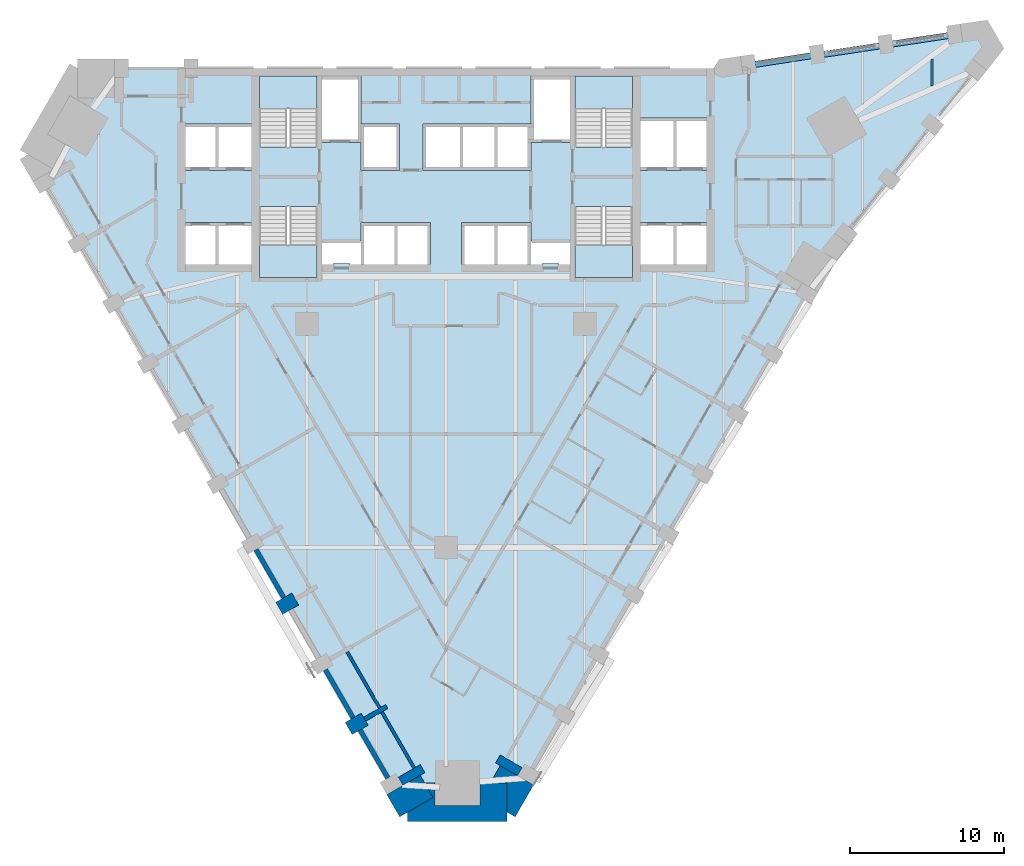
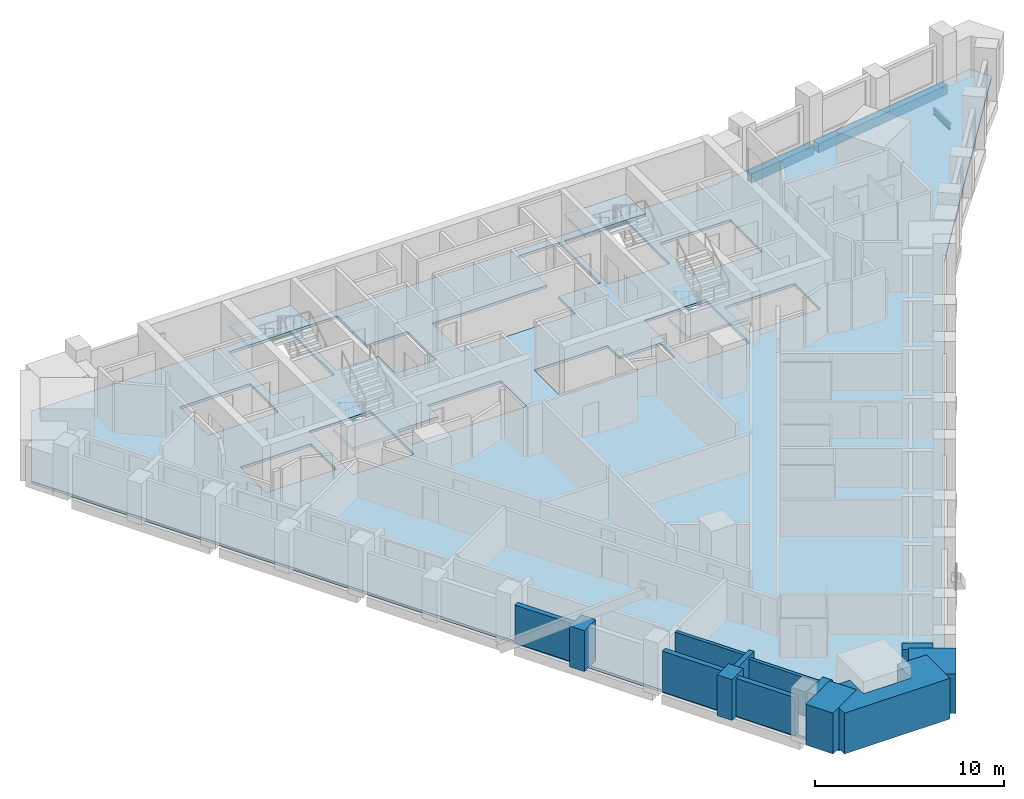
# One storey, part 2 of 11: 13 walls, 5 slabs, 3 beams, 4 elements without a shape of their own.
"""IFC4 building model written with IfcOpenShell, lengths in metres."""

from ifc_helpers import new_model, si_unit, direction, frame, frame_2d, origin, origin_2d, place, context, subcontext, project, spatial, polyline, rectangle, i_section, outline, extrude, material, layer, layer_set, material_profile, profile_set, type_object, element, aggregate, save


model = new_model("IFC4")

# Units and contexts
model_context = context("Model", 3, precision=1e-05, world=origin(), true_north=direction((0.0, 1.0)))
body_context = subcontext(model_context, "Body", "Model", "MODEL_VIEW")
ifc_project = project(units=[si_unit("LENGTHUNIT", "METRE"), si_unit("AREAUNIT", "SQUARE_METRE"), si_unit("VOLUMEUNIT", "CUBIC_METRE"), si_unit("PLANEANGLEUNIT", "RADIAN"), si_unit("MASSUNIT", "GRAM", prefix="KILO")], contexts=[model_context])

# Site, building, storey
site_placement = place(None, origin())
site = spatial("IfcSite", under=ifc_project, at=site_placement, CompositionType="ELEMENT")
building_placement = place(site_placement, origin())
building = spatial("IfcBuilding", under=site, at=building_placement, Name="Calabash Gate Tower", CompositionType="ELEMENT")
storey_placement = place(building_placement, frame((0.0, 0.0, 112.199951171875)))
storey = spatial("IfcBuildingStorey", under=building, at=storey_placement, Name="L25", CompositionType="ELEMENT", Elevation=112.199951171875)

# Beams
ifc_material_1 = material(Name="Concrete C60/75", Category="concrete")
ifc_material_profile_1 = material_profile(ifc_material_1, rectangle(XDim=0.39990234375, YDim=0.60009765625, at=origin_2d()))
ifc_profile_set_1 = profile_set([ifc_material_profile_1], Name="Concrete C60/75")
beam_type_1 = type_object("IfcBeamType", Name="Edge beam RC 400x600 Concrete C60/75", PredefinedType="BEAM", material=ifc_profile_set_1)
beam_1_placement = place(storey_placement, frame((33.139892578125, 21.27392578125, -0.469970703125), z_axis=(-0.988841625555, -0.148970599683, 0.0), x_axis=(0.148970599683, -0.988841625555, 0.0)))
element("IfcBeam", 1, at=beam_1_placement, inside=storey, type_object=beam_type_1, Name="Edge beam L25 15", PredefinedType="BEAM", context=body_context, shape_type="SweptSolid", body=[
    extrude(rectangle(XDim=0.39990234375, YDim=0.60009765625, at=origin_2d()), origin(), (0.0, 0.0, 1.0), 8.7333984375),
])
beam_2_placement = place(storey_placement, frame((24.236083984375, 19.968017578125, -0.469970703125), z_axis=(-0.988255414285, -0.152811112607, 0.0), x_axis=(0.152811112607, -0.988255414285, 0.0)))
element("IfcBeam", 2, at=beam_2_placement, inside=storey, type_object=beam_type_1, Name="Edge beam L25 16", PredefinedType="BEAM", context=body_context, shape_type="SweptSolid", body=[
    extrude(rectangle(XDim=0.39990234375, YDim=0.60009765625, at=origin_2d()), origin(), (0.0, 0.0, 1.0), 4.23388671875),
])
ifc_material_2 = material(Name="Steel ASTM A992 Gr50", Category="steel")
ifc_material_profile_2 = material_profile(ifc_material_2, i_section(OverallWidth=0.1396484375, OverallDepth=0.398681640625, WebThickness=0.00634765625, FlangeThickness=0.0087890625, FilletRadius=0.01025390625, at=origin_2d()))
ifc_profile_set_2 = profile_set([ifc_material_profile_2], Name="Steel ASTM A992 Gr50")
beam_type_2 = type_object("IfcBeamType", Name="Floor beam W16x26 ASTM A992 Gr50", PredefinedType="BEAM", material=ifc_profile_set_2)
beam_3_placement = place(storey_placement, frame((31.5, 17.91796875, -0.368896484375), z_axis=(0.0, 1.0, 0.0), x_axis=(-1.0, 0.0, 0.0)))
element("IfcBeam", 3, at=beam_3_placement, inside=storey, type_object=beam_type_2, Name="Floor beam L25 21", PredefinedType="BEAM", context=body_context, shape_type="SweptSolid", body=[
    extrude(i_section(OverallWidth=0.1396484375, OverallDepth=0.398681640625, WebThickness=0.00634765625, FlangeThickness=0.0087890625, FilletRadius=0.01025390625, at=origin_2d()), origin(), (0.0, 0.0, 1.0), 1.735107421875),
])

# Slab
ifc_material_3 = material(Name="Concrete C40/50", Category="concrete")
ifc_layer_1 = layer(ifc_material_3, 0.169921875)
ifc_layer_set_1 = layer_set([ifc_layer_1], Name="Composite floor slab 170 Concrete C40/50")
slab_type_1 = type_object("IfcSlabType", Name="Composite floor slab 170 Concrete C40/50", PredefinedType="FLOOR", material=ifc_layer_set_1)
slab_1_placement = place(storey_placement, frame((0.0, 0.0, -0.169921875)))
element("IfcSlab", 4, at=slab_1_placement, inside=storey, type_object=slab_type_1, Name="Floor slab L25", PredefinedType="FLOOR", context=body_context, shape_type="SweptSolid", body=[
    extrude(outline(polyline([(-27.0966796875, 13.46826171875), (-23.87255859375, 19.052490234375), (17.806640625, 19.052490234375), (34.788818359375, 21.54150390625), (35.453369140625, 20.390625), (24.806640625, 6.92822265625), (3.967041015625, -29.167236328125), (-2.481201171875, -29.167236328125), (-27.0966796875, 13.46826171875)]), holes=[polyline([(-5.5, 9.052490234375), (-5.5, 7.8525390625), (-8.050048828125, 7.8525390625), (-8.050048828125, 6.3525390625), (-7.324951171875, 6.3525390625), (-7.324951171875, 6.402587890625), (-6.22509765625, 6.402587890625), (-6.22509765625, 6.3525390625), (-5.5, 6.3525390625), (-3.25, 6.3525390625), (-1.0, 6.3525390625), (-1.0, 9.052490234375), (-3.25, 9.052490234375), (-5.5, 9.052490234375)]), polyline([(5.5, 9.052490234375), (3.25, 9.052490234375), (1.0, 9.052490234375), (1.0, 6.3525390625), (3.25, 6.3525390625), (5.5, 6.3525390625), (6.22509765625, 6.3525390625), (6.22509765625, 6.402587890625), (7.324951171875, 6.402587890625), (7.324951171875, 6.3525390625), (8.050048828125, 6.3525390625), (8.050048828125, 7.8525390625), (5.5, 7.8525390625), (5.5, 9.052490234375)]), polyline([(-5.5, 14.252685546875), (-5.5, 12.45263671875), (-3.0, 12.45263671875), (-3.0, 15.45263671875), (-5.5, 15.45263671875), (-5.5, 18.552490234375), (-8.050048828125, 18.552490234375), (-8.050048828125, 14.252685546875), (-5.5, 14.252685546875)]), polyline([(8.050048828125, 18.552490234375), (5.5, 18.552490234375), (5.5, 15.45263671875), (3.25, 15.45263671875), (1.0, 15.45263671875), (-1.5, 15.45263671875), (-1.5, 12.45263671875), (1.0, 12.45263671875), (3.25, 12.45263671875), (5.5, 12.45263671875), (5.5, 14.252685546875), (8.050048828125, 14.252685546875), (8.050048828125, 18.552490234375)]), polyline([(-12.60009765625, 6.3525390625), (-12.60009765625, 9.052490234375), (-14.85009765625, 9.052490234375), (-16.89990234375, 9.052490234375), (-16.89990234375, 6.3525390625), (-14.85009765625, 6.3525390625), (-12.60009765625, 6.3525390625)]), polyline([(-14.85009765625, 12.45263671875), (-12.60009765625, 12.45263671875), (-12.60009765625, 15.45263671875), (-14.85009765625, 15.45263671875), (-16.89990234375, 15.45263671875), (-16.89990234375, 12.45263671875), (-14.85009765625, 12.45263671875)]), polyline([(14.85009765625, 6.3525390625), (16.89990234375, 6.3525390625), (16.89990234375, 9.052490234375), (14.85009765625, 9.052490234375), (12.60009765625, 9.052490234375), (12.60009765625, 6.3525390625), (14.85009765625, 6.3525390625)]), polyline([(14.85009765625, 12.45263671875), (16.89990234375, 12.45263671875), (16.89990234375, 15.8525390625), (14.85009765625, 15.8525390625), (12.60009765625, 15.8525390625), (12.60009765625, 12.45263671875), (14.85009765625, 12.45263671875)]), polyline([(-8.35009765625, 18.552490234375), (-12.10009765625, 18.552490234375), (-12.10009765625, 13.95263671875), (-8.35009765625, 13.95263671875), (-8.35009765625, 18.552490234375)]), polyline([(-12.10009765625, 10.1025390625), (-12.10009765625, 5.502685546875), (-8.35009765625, 5.502685546875), (-8.35009765625, 10.1025390625), (-12.10009765625, 10.1025390625)]), polyline([(8.35009765625, 13.95263671875), (12.10009765625, 13.95263671875), (12.10009765625, 18.552490234375), (8.35009765625, 18.552490234375), (8.35009765625, 13.95263671875)]), polyline([(12.10009765625, 5.502685546875), (12.10009765625, 10.1025390625), (8.35009765625, 10.1025390625), (8.35009765625, 5.502685546875), (12.10009765625, 5.502685546875)])]), origin(), (0.0, 0.0, 1.0), 0.169921875),
])

# Stair, slab
ifc_material_4 = material(Name="Concrete C40/50", Category="concrete")
stair_type = type_object("IfcStairType", Name="Exit stair 20 risers of 170 mm", PredefinedType="HALF_TURN_STAIR", material=ifc_material_4)
stair_1_placement = place(storey_placement, origin())
stair_1 = element("IfcStair", 5, at=stair_1_placement, inside=storey, type_object=stair_type, Name="L25 Exit stair ST1", PredefinedType="HALF_TURN_STAIR")
ifc_material_5 = material(Name="Concrete C40/50", Category="concrete")
ifc_layer_2 = layer(ifc_material_5, 0.199951171875)
ifc_layer_set_2 = layer_set([ifc_layer_2], Name="Stair landing SL200")
slab_type_2 = type_object("IfcSlabType", Name="Stair landing SL200", PredefinedType="LANDING", material=ifc_layer_set_2)
slab_2_placement = place(storey_placement, frame((0.0, 0.0, 1.5)))
slab_2 = element("IfcSlab", 6, at=slab_2_placement, type_object=slab_type_2, Name="ST1 landing 1", PredefinedType="LANDING", context=body_context, shape_type="SweptSolid", body=[
    extrude(outline(polyline([(-8.35009765625, 16.463623046875), (-8.35009765625, 18.552490234375), (-12.10009765625, 18.552490234375), (-12.10009765625, 16.463623046875), (-8.35009765625, 16.463623046875)])), origin(), (0.0, 0.0, 1.0), 0.199951171875),
])
aggregate(stair_1, [slab_2])

stair_2_placement = place(storey_placement, origin())
stair_2 = element("IfcStair", 7, at=stair_2_placement, inside=storey, type_object=stair_type, Name="L25 Exit stair ST2", PredefinedType="HALF_TURN_STAIR")
slab_3_placement = place(storey_placement, frame((0.0, 0.0, 1.5)))
slab_3 = element("IfcSlab", 8, at=slab_3_placement, type_object=slab_type_2, Name="ST2 landing 1", PredefinedType="LANDING", context=body_context, shape_type="SweptSolid", body=[
    extrude(outline(polyline([(-12.10009765625, 7.591552734375), (-12.10009765625, 5.502685546875), (-8.35009765625, 5.502685546875), (-8.35009765625, 7.591552734375), (-12.10009765625, 7.591552734375)])), origin(), (0.0, 0.0, 1.0), 0.199951171875),
])
aggregate(stair_2, [slab_3])

stair_3_placement = place(storey_placement, origin())
stair_3 = element("IfcStair", 9, at=stair_3_placement, inside=storey, type_object=stair_type, Name="L25 Exit stair ST3", PredefinedType="HALF_TURN_STAIR")
slab_4_placement = place(storey_placement, frame((0.0, 0.0, 1.5)))
slab_4 = element("IfcSlab", 10, at=slab_4_placement, type_object=slab_type_2, Name="ST3 landing 1", PredefinedType="LANDING", context=body_context, shape_type="SweptSolid", body=[
    extrude(outline(polyline([(12.10009765625, 16.463623046875), (12.10009765625, 18.552490234375), (8.35009765625, 18.552490234375), (8.35009765625, 16.463623046875), (12.10009765625, 16.463623046875)])), origin(), (0.0, 0.0, 1.0), 0.199951171875),
])
aggregate(stair_3, [slab_4])

stair_4_placement = place(storey_placement, origin())
stair_4 = element("IfcStair", 11, at=stair_4_placement, inside=storey, type_object=stair_type, Name="L25 Exit stair ST4", PredefinedType="HALF_TURN_STAIR")
slab_5_placement = place(storey_placement, frame((0.0, 0.0, 1.5)))
slab_5 = element("IfcSlab", 12, at=slab_5_placement, type_object=slab_type_2, Name="ST4 landing 1", PredefinedType="LANDING", context=body_context, shape_type="SweptSolid", body=[
    extrude(outline(polyline([(8.35009765625, 7.591552734375), (8.35009765625, 5.502685546875), (12.10009765625, 5.502685546875), (12.10009765625, 7.591552734375), (8.35009765625, 7.591552734375)])), origin(), (0.0, 0.0, 1.0), 0.199951171875),
])
aggregate(stair_4, [slab_5])

# Walls
ifc_material_6 = material(Name="Terracotta brick masonry, exposed face", Category="masonry")
ifc_layer_3 = layer(ifc_material_6, 2.5)
ifc_layer_set_3 = layer_set([ifc_layer_3], Name="Brick corner mass wall 2500")
wall_type_1 = type_object("IfcWallType", Name="Brick corner mass wall 2500", PredefinedType="SOLIDWALL", material=ifc_layer_set_3)
wall_1_placement = place(storey_placement, origin())
element("IfcWall", 13, at=wall_1_placement, inside=storey, type_object=wall_type_1, Name="Brick corner pier S07 1a", PredefinedType="SOLIDWALL", context=body_context, shape_type="SweptSolid", body=[
    extrude(outline(polyline([(-0.8359375, -28.21728515625), (-1.668701171875, -26.77490234375), (-3.833740234375, -28.02490234375), (-3.0009765625, -29.46728515625), (-0.8359375, -28.21728515625)])), origin(), (0.0, 0.0, 1.0), 2.630126953125),
])
wall_2_placement = place(storey_placement, origin())
element("IfcWall", 14, at=wall_2_placement, inside=storey, type_object=wall_type_1, Name="Brick corner pier S07 1b", PredefinedType="SOLIDWALL", context=body_context, shape_type="SweptSolid", body=[
    extrude(outline(polyline([(-1.38427734375, -27.26708984375), (-0.8359375, -28.21728515625), (-2.481201171875, -29.167236328125), (-2.481201171875, -29.76708984375), (3.967041015625, -29.76708984375), (3.967041015625, -27.26708984375), (2.193115234375, -27.26708984375), (2.193115234375, -28.721923828125), (-0.70703125, -28.721923828125), (-0.70703125, -27.26708984375), (-1.38427734375, -27.26708984375)])), origin(), (0.0, 0.0, 1.0), 2.630126953125),
])
wall_3_placement = place(storey_placement, origin())
element("IfcWall", 15, at=wall_3_placement, inside=storey, type_object=wall_type_1, Name="Brick corner pier S07 1c", PredefinedType="SOLIDWALL", context=body_context, shape_type="SweptSolid", body=[
    extrude(outline(polyline([(5.681396484375, -27.397705078125), (3.516357421875, -26.147705078125), (2.8701171875, -27.26708984375), (3.967041015625, -27.26708984375), (3.967041015625, -29.167236328125), (4.486572265625, -29.46728515625), (5.681396484375, -27.397705078125)])), origin(), (0.0, 0.0, 1.0), 2.552001953125),
])
ifc_material_7 = material(Name="Terracotta brick masonry, exposed face", Category="masonry")
ifc_layer_4 = layer(ifc_material_7, 1.199951171875)
ifc_layer_set_4 = layer_set([ifc_layer_4], Name="Brick end wall 1200")
wall_type_2 = type_object("IfcWallType", Name="Brick end wall 1200", PredefinedType="SOLIDWALL", material=ifc_layer_set_4)
for number, where, z_axis, x_axis, name in (
    (16, (-10.80859375, -15.94384765625, 0.0), (0.0, 0.0, 1.0), (0.865955154139, 0.50012165622, 0.0), "Brick pier S07 SW0.7"),
    (17, (-6.30859375, -23.738037109375, 0.0), (0.0, 0.0, 1.0), (0.865955154139, 0.50012165622, 0.0), "Brick pier S07 SW0.9"),
):
    element("IfcWall", number, at=place(storey_placement, frame(where, z_axis=z_axis, x_axis=x_axis)), inside=storey, type_object=wall_type_2, Name=name, PredefinedType="SOLIDWALL", context=body_context, shape_type="SweptSolid", body=[
        extrude(rectangle(XDim=1.199951171875, YDim=0.89990234375, at=frame_2d((0.60009765625, 0.0))), origin(), (0.0, 0.0, 1.0), 2.630126953125),
    ])
ifc_material_8 = material(Name="Terracotta brick masonry, exposed face", Category="masonry")
ifc_layer_5 = layer(ifc_material_8, 0.300048828125)
ifc_layer_set_5 = layer_set([ifc_layer_5], Name="Brick infill panel wall 300")
wall_type_3 = type_object("IfcWallType", Name="Brick infill panel wall 300", PredefinedType="SOLIDWALL", material=ifc_layer_set_5)
wall_4_placement = place(storey_placement, frame((-10.513916015625, -15.25390625, 0.0), z_axis=(0.0, 0.0, 1.0), x_axis=(-0.500070795158, 0.865984526323, 0.0)))
element("IfcWall", 18, at=wall_4_placement, inside=storey, type_object=wall_type_3, Name="Brick panel S07 SW0.7", PredefinedType="SOLIDWALL", context=body_context, shape_type="SweptSolid", body=[
    extrude(rectangle(XDim=3.599609375, YDim=0.300048828125, at=frame_2d((1.7998046875, 0.0))), origin(), (0.0, 0.0, 1.0), 2.4501953125),
])
wall_5_placement = place(storey_placement, frame((-7.81396484375, -19.9306640625, 0.0), z_axis=(0.0, 0.0, 1.0), x_axis=(0.500012057535, -0.866018442252, 0.0)))
element("IfcWall", 19, at=wall_5_placement, inside=storey, type_object=wall_type_3, Name="Brick panel S07 SW0.9", PredefinedType="SOLIDWALL", context=body_context, shape_type="SweptSolid", body=[
    extrude(rectangle(XDim=3.60009765625, YDim=0.300048828125, at=frame_2d((1.800048828125, 0.0))), origin(), (0.0, 0.0, 1.0), 2.630126953125),
])
wall_6_placement = place(storey_placement, frame((-3.764892578125, -26.94384765625, 0.0), z_axis=(0.0, 0.0, 1.0), x_axis=(-0.499984792966, 0.866034183392, 0.0)))
element("IfcWall", 20, at=wall_6_placement, inside=storey, type_object=wall_type_3, Name="Brick panel S07 SW0.10", PredefinedType="SOLIDWALL", context=body_context, shape_type="SweptSolid", body=[
    extrude(rectangle(XDim=3.59814453125, YDim=0.300048828125, at=frame_2d((1.799072265625, 0.0))), origin(), (0.0, 0.0, 1.0), 2.4501953125),
])
ifc_material_9 = material(Name="Terracotta brick masonry, exposed face", Category="masonry")
ifc_layer_6 = layer(ifc_material_9, 0.300048828125)
ifc_layer_set_6 = layer_set([ifc_layer_6], Name="Brick loggia cheek wall 300")
wall_type_4 = type_object("IfcWallType", Name="Brick loggia cheek wall 300", PredefinedType="SOLIDWALL", material=ifc_layer_set_6)
wall_7_placement = place(storey_placement, frame((-5.26953125, -23.137939453125, 0.0), z_axis=(0.0, 0.0, 1.0), x_axis=(0.866040211805, 0.499974350878, 0.0)))
element("IfcWall", 21, at=wall_7_placement, inside=storey, type_object=wall_type_4, Name="Loggia cheek S07 SW0.9", PredefinedType="SOLIDWALL", context=body_context, shape_type="SweptSolid", body=[
    extrude(rectangle(XDim=1.64990234375, YDim=0.300048828125, at=frame_2d((0.824951171875, 0.0))), origin(), (0.0, 0.0, 1.0), 2.6279296875),
])
for number, where, z_axis, x_axis, name in (
    (22, (-1.515380859375, -26.340087890625, 0.0), (0.0, 0.0, 1.0), (-0.866040211805, -0.499974350878, 0.0), "Loggia cheek S07 SW0.10"),
    (23, (4.792236328125, -26.537841796875, 0.0), (0.0, 0.0, 1.0), (-0.866040211805, 0.499974350878, 0.0), "Loggia cheek S07 SE2.0"),
):
    element("IfcWall", number, at=place(storey_placement, frame(where, z_axis=z_axis, x_axis=x_axis)), inside=storey, type_object=wall_type_4, Name=name, PredefinedType="SOLIDWALL", context=body_context, shape_type="SweptSolid", body=[
        extrude(rectangle(XDim=1.64990234375, YDim=0.60009765625, at=frame_2d((0.824951171875, 0.0))), origin(), (0.0, 0.0, 1.0), 2.4501953125),
    ])
ifc_material_10 = material(Name="Aluminium framed window wall with insulated spandrel", Category="aluminium")
ifc_layer_7 = layer(ifc_material_10, 0.199951171875)
ifc_layer_set_7 = layer_set([ifc_layer_7], Name="Window wall 200")
wall_type_5 = type_object("IfcWallType", Name="Window wall 200", PredefinedType="ELEMENTEDWALL", material=ifc_layer_set_7)
wall_8_placement = place(storey_placement, frame((-6.4052734375, -18.770751953125, 0.0), z_axis=(0.0, 0.0, 1.0), x_axis=(0.500027713859, -0.866009402589, 0.0)))
element("IfcWall", 24, at=wall_8_placement, inside=storey, type_object=wall_type_5, Name="Window wall S07 SW0.9", PredefinedType="ELEMENTEDWALL", context=body_context, shape_type="SweptSolid", body=[
    extrude(rectangle(XDim=4.199951171875, YDim=0.199951171875, at=frame_2d((2.10009765625, 0.0))), origin(), (0.0, 0.0, 1.0), 2.6279296875),
])
wall_9_placement = place(storey_placement, frame((-4.1552734375, -22.66796875, 0.0), z_axis=(0.0, 0.0, 1.0), x_axis=(0.500027713859, -0.866009402589, 0.0)))
element("IfcWall", 25, at=wall_9_placement, inside=storey, type_object=wall_type_5, Name="Window wall S07 SW0.10", PredefinedType="ELEMENTEDWALL", context=body_context, shape_type="SweptSolid", body=[
    extrude(rectangle(XDim=4.199951171875, YDim=0.199951171875, at=frame_2d((2.10009765625, 0.0))), origin(), (0.0, 0.0, 1.0), 2.4501953125),
])

save(model, "model.ifc")
